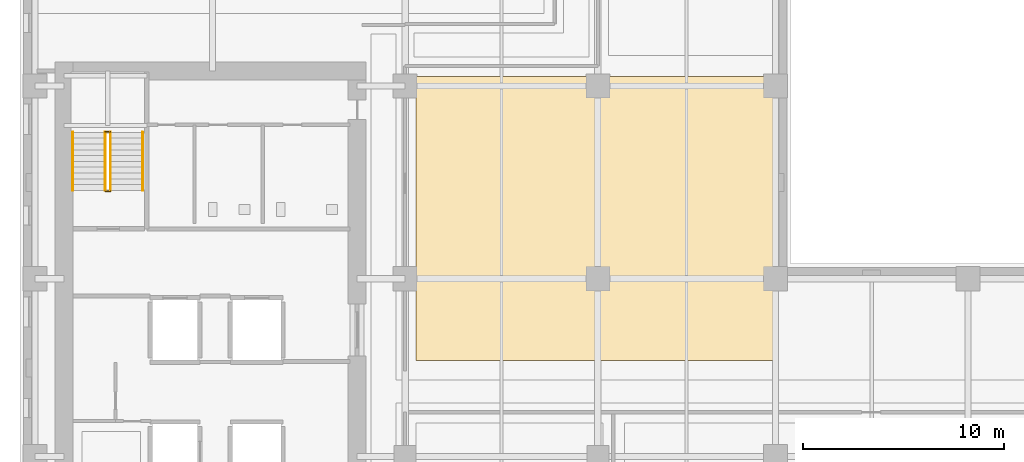
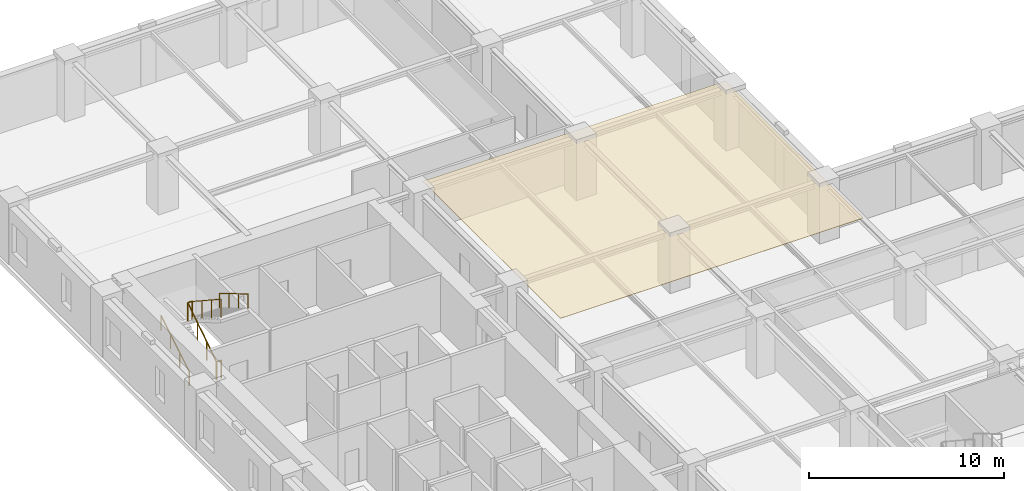
# One storey, part 12 of 14: 6 railings, 1 covering.
"""IFC4 building model written with IfcOpenShell, lengths in metres."""

from ifc_helpers import new_model, si_unit, direction, frame, origin, origin_2d, place, context, subcontext, project, spatial, polyline, circle, outline, extrude, material, layer, layer_set, type_object, element, save


model = new_model("IFC4")

# Units and contexts
model_context = context("Model", 3, precision=1e-05, world=origin(), true_north=direction((0.0, 1.0)))
body_context = subcontext(model_context, "Body", "Model", "MODEL_VIEW")
ifc_project = project(units=[si_unit("LENGTHUNIT", "METRE"), si_unit("AREAUNIT", "SQUARE_METRE"), si_unit("VOLUMEUNIT", "CUBIC_METRE"), si_unit("PLANEANGLEUNIT", "RADIAN"), si_unit("MASSUNIT", "GRAM", prefix="KILO")], contexts=[model_context])

# Site, building, storey
site_placement = place(None, origin())
site = spatial("IfcSite", under=ifc_project, at=site_placement, CompositionType="ELEMENT")
building_placement = place(site_placement, origin())
building = spatial("IfcBuilding", under=site, at=building_placement, Name="Norrvale University Quadrangle", CompositionType="ELEMENT")
storey_placement = place(building_placement, frame((0.0, 0.0, 50.800048828125)))
storey = spatial("IfcBuildingStorey", under=building, at=storey_placement, Name="L12", CompositionType="ELEMENT", Elevation=50.800048828125)

# Covering
ifc_material_1 = material(Name="Perforated Acoustic Mineral Ceiling")
ifc_layer = layer(ifc_material_1, 0.02490234375, Name="Perforated Acoustic Mineral Ceiling")
ifc_layer_set = layer_set([ifc_layer], Name="Perforated Acoustic Mineral Ceiling")
covering_type = type_object("IfcCoveringType", Name="Covering Acoustic Ceiling 25", PredefinedType="CEILING", material=ifc_layer_set)
covering_placement = place(storey_placement, frame((0.0, 0.0, 3.514892578125)))
element("IfcCovering", 1, at=covering_placement, inside=storey, type_object=covering_type, Name="Acoustic Ceiling RM-L12-MNE01", PredefinedType="CEILING", context=body_context, shape_type="SweptSolid", body=[
    extrude(outline(polyline([(19.72998046875, 47.719970703125), (37.64990234375, 47.719970703125), (37.64990234375, 33.580078125), (19.72998046875, 33.580078125), (19.72998046875, 47.719970703125)])), origin(), (0.0, 0.0, 1.0), 0.025146484375),
])

# Railings
ifc_material_2 = material(Name="Steel 350W Painted Balustrade", Category="steel")
railing_type_1 = type_object("IfcRailingType", Name="Railing Stair Guard 1100", PredefinedType="GUARDRAIL", material=ifc_material_2)
for number, where, name in (
    (2, (4.239990234375, 42.02001953125, 0.0), "Stair Floor Well Guard ST-02 L12"),
    (3, (4.239990234375, 44.97998046875, 1.89990234375), "Stair Mid-Landing Slot Guard ST-02 L12"),
):
    element("IfcRailing", number, at=place(storey_placement, frame(where)), inside=storey, type_object=railing_type_1, Name=name, PredefinedType="GUARDRAIL", context=body_context, shape_type="SweptSolid", body=[
        extrude(circle(Radius=0.02392578125, at=origin_2d()), frame((0.0, 0.0, 1.1259765625), z_axis=(1.0, 0.0, 0.0), x_axis=(0.0, 1.0, 0.0)), (0.0, 0.0, 1.0), 0.27001953125),
        extrude(circle(Radius=0.02099609375, at=origin_2d()), origin(), (0.0, 0.0, 1.0), 1.101806640625),
        extrude(circle(Radius=0.02099609375, at=origin_2d()), frame((0.27001953125, 0.0, 0.0)), (0.0, 0.0, 1.0), 1.101806640625),
    ])
railing_1_placement = place(storey_placement, frame((4.239990234375, 42.050048828125, 0.0)))
element("IfcRailing", 4, at=railing_1_placement, inside=storey, type_object=railing_type_1, Name="Stair Lower Flight Inner Guard ST-02 L12", PredefinedType="GUARDRAIL", context=body_context, shape_type="SweptSolid", body=[
    extrude(circle(Radius=0.02392578125, at=origin_2d()), frame((0.0, 0.0, 1.1259765625), z_axis=(0.0, 0.836465582154, 0.548019461216), x_axis=(-1.0, 0.0, 0.0)), (0.0, 0.0, 1.0), 3.466796875),
    extrude(circle(Radius=0.02099609375, at=origin_2d()), origin(), (0.0, 0.0, 1.0), 1.101806640625),
    extrude(circle(Radius=0.02099609375, at=origin_2d()), frame((0.0, 0.966552734375, 0.63330078125)), (0.0, 0.0, 1.0), 1.101806640625),
    extrude(circle(Radius=0.02099609375, at=origin_2d()), frame((0.0, 1.933349609375, 1.2666015625)), (0.0, 0.0, 1.0), 1.101806640625),
    extrude(circle(Radius=0.02099609375, at=origin_2d()), frame((0.0, 2.89990234375, 1.89990234375)), (0.0, 0.0, 1.0), 1.101806640625),
])
railing_2_placement = place(storey_placement, frame((4.510009765625, 44.949951171875, 1.89990234375)))
element("IfcRailing", 5, at=railing_2_placement, inside=storey, type_object=railing_type_1, Name="Stair Upper Flight Inner Guard ST-02 L12", PredefinedType="GUARDRAIL", context=body_context, shape_type="SweptSolid", body=[
    extrude(circle(Radius=0.02392578125, at=origin_2d()), frame((0.0, 0.0, 1.1259765625), z_axis=(0.0, -0.836433300813, 0.548068730445), x_axis=(1.0, 0.0, 0.0)), (0.0, 0.0, 1.0), 3.467041015625),
    extrude(circle(Radius=0.02099609375, at=origin_2d()), origin(), (0.0, 0.0, 1.0), 1.101806640625),
    extrude(circle(Radius=0.02099609375, at=origin_2d()), frame((0.0, -0.966552734375, 0.63330078125)), (0.0, 0.0, 1.0), 1.101806640625),
    extrude(circle(Radius=0.02099609375, at=origin_2d()), frame((0.0, -1.933349609375, 1.266845703125)), (0.0, 0.0, 1.0), 1.101806640625),
    extrude(circle(Radius=0.02099609375, at=origin_2d()), frame((0.0, -2.89990234375, 1.900146484375)), (0.0, 0.0, 1.0), 1.101806640625),
])
ifc_material_3 = material(Name="Stainless Steel 316L Handrail", Category="steel")
railing_type_2 = type_object("IfcRailingType", Name="Railing Stair Handrail 920", PredefinedType="HANDRAIL", material=ifc_material_3)
railing_3_placement = place(storey_placement, frame((2.639892578125, 42.050048828125, 0.172607421875)))
element("IfcRailing", 6, at=railing_3_placement, inside=storey, type_object=railing_type_2, Name="Stair Lower Flight Handrail ST-02 L12", PredefinedType="HANDRAIL", context=body_context, shape_type="SweptSolid", body=[
    extrude(circle(Radius=0.02392578125, at=origin_2d()), frame((0.0, 0.0, 0.89599609375), z_axis=(0.0, 0.859141464434, 0.511738159696), x_axis=(-1.0, 0.0, 0.0)), (0.0, 0.0, 1.0), 3.375244140625),
    extrude(circle(Radius=0.02099609375, at=origin_2d()), origin(), (0.0, 0.0, 1.0), 0.871826171875),
    extrude(circle(Radius=0.02099609375, at=origin_2d()), frame((0.0, 0.966552734375, 0.57568359375)), (0.0, 0.0, 1.0), 0.871826171875),
    extrude(circle(Radius=0.02099609375, at=origin_2d()), frame((0.0, 1.933349609375, 1.151611328125)), (0.0, 0.0, 1.0), 0.871826171875),
    extrude(circle(Radius=0.02099609375, at=origin_2d()), frame((0.0, 2.89990234375, 1.727294921875)), (0.0, 0.0, 1.0), 0.871826171875),
])
railing_4_placement = place(storey_placement, frame((6.110107421875, 44.949951171875, 2.07275390625)))
element("IfcRailing", 7, at=railing_4_placement, inside=storey, type_object=railing_type_2, Name="Stair Upper Flight Handrail ST-02 L12", PredefinedType="HANDRAIL", context=body_context, shape_type="SweptSolid", body=[
    extrude(circle(Radius=0.02392578125, at=origin_2d()), frame((0.0, 0.0, 0.89599609375), z_axis=(0.0, -0.859141464434, 0.511738159696), x_axis=(1.0, 0.0, 0.0)), (0.0, 0.0, 1.0), 3.375244140625),
    extrude(circle(Radius=0.02099609375, at=origin_2d()), origin(), (0.0, 0.0, 1.0), 0.871826171875),
    extrude(circle(Radius=0.02099609375, at=origin_2d()), frame((0.0, -0.966552734375, 0.57568359375)), (0.0, 0.0, 1.0), 0.871826171875),
    extrude(circle(Radius=0.02099609375, at=origin_2d()), frame((0.0, -1.933349609375, 1.151611328125)), (0.0, 0.0, 1.0), 0.871826171875),
    extrude(circle(Radius=0.02099609375, at=origin_2d()), frame((0.0, -2.89990234375, 1.727294921875)), (0.0, 0.0, 1.0), 0.871826171875),
])

save(model, "model.ifc")
